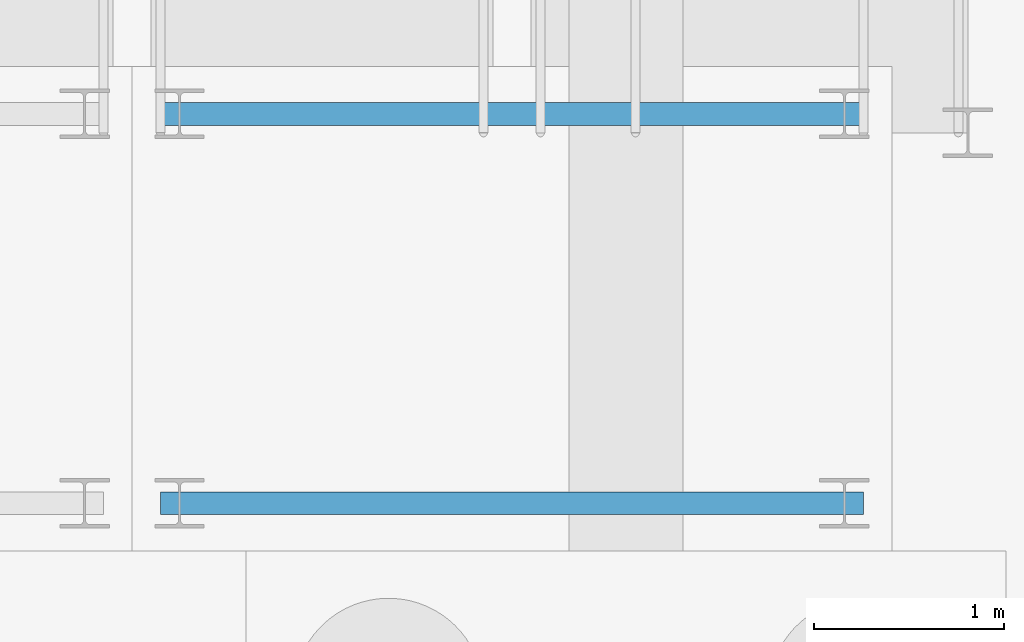
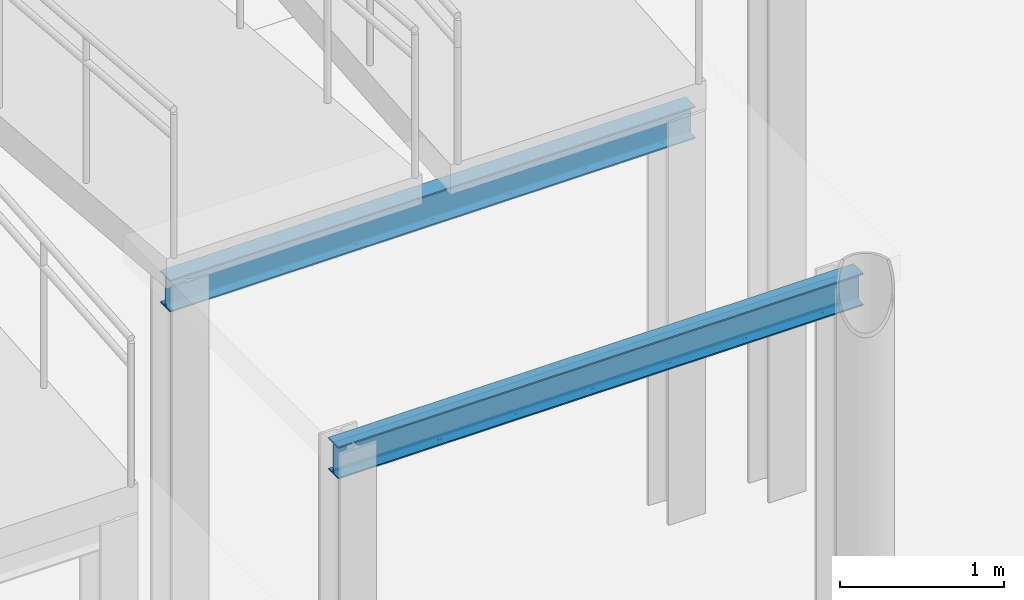
# One storey, part 32 of 73: 2 beams.
"""IFC4 building model written with IfcOpenShell, lengths in metres."""

from ifc_helpers import new_model, si_unit, direction, frame, origin, origin_2d, place, context, subcontext, project, spatial, i_section, extrude, material, material_profile, profile_set, type_object, element, save


model = new_model("IFC4")

# Units and contexts
model_context = context("Model", 3, precision=1e-05, world=origin(), true_north=direction((0.0, 1.0)))
body_context = subcontext(model_context, "Body", "Model", "MODEL_VIEW")
ifc_project = project(units=[si_unit("LENGTHUNIT", "METRE"), si_unit("AREAUNIT", "SQUARE_METRE"), si_unit("VOLUMEUNIT", "CUBIC_METRE"), si_unit("PLANEANGLEUNIT", "RADIAN"), si_unit("MASSUNIT", "GRAM", prefix="KILO")], contexts=[model_context])

# Site, building, storey
site_placement = place(None, origin())
site = spatial("IfcSite", under=ifc_project, at=site_placement, CompositionType="ELEMENT")
building_placement = place(site_placement, origin())
building = spatial("IfcBuilding", under=site, at=building_placement, Name="Tasgan Crest Museum", CompositionType="ELEMENT")
storey_placement = place(building_placement, origin())
storey = spatial("IfcBuildingStorey", under=building, at=storey_placement, Name="L00", CompositionType="ELEMENT", Elevation=0.0)

# Beams
ifc_material = material(Name="Steel S355J2", Category="steel")
ifc_material_profile = material_profile(ifc_material, i_section(OverallWidth=0.1201171875, OverallDepth=0.239990234375, WebThickness=0.006103515625, FlangeThickness=0.009765625, FilletRadius=0.014892578125, at=origin_2d()), Name="IPE 240")
ifc_profile_set = profile_set([ifc_material_profile], Name="Steel S355J2")
beam_type = type_object("IfcBeamType", Name="BM-LAND-IPE240", PredefinedType="BEAM", material=ifc_profile_set)
for number, where, z_axis, x_axis, name in (
    (1, (62.35009765625, 52.25, 2.8798828125), (1.0, 0.0, 0.0), (0.0, 1.0, 0.0), "Ramp landing beam 4S"),
    (2, (62.35009765625, 54.300048828125, 2.8798828125), (1.0, 0.0, 0.0), (0.0, 1.0, 0.0), "Ramp landing beam 4N"),
):
    element("IfcBeam", number, at=place(storey_placement, frame(where, z_axis=z_axis, x_axis=x_axis)), inside=storey, type_object=beam_type, Name=name, PredefinedType="BEAM", context=body_context, shape_type="SweptSolid", body=[
        extrude(i_section(OverallWidth=0.1201171875, OverallDepth=0.239990234375, WebThickness=0.006103515625, FlangeThickness=0.009765625, FilletRadius=0.014892578125, at=origin_2d()), origin(), (0.0, 0.0, 1.0), 3.699951171875),
    ])

save(model, "model.ifc")
